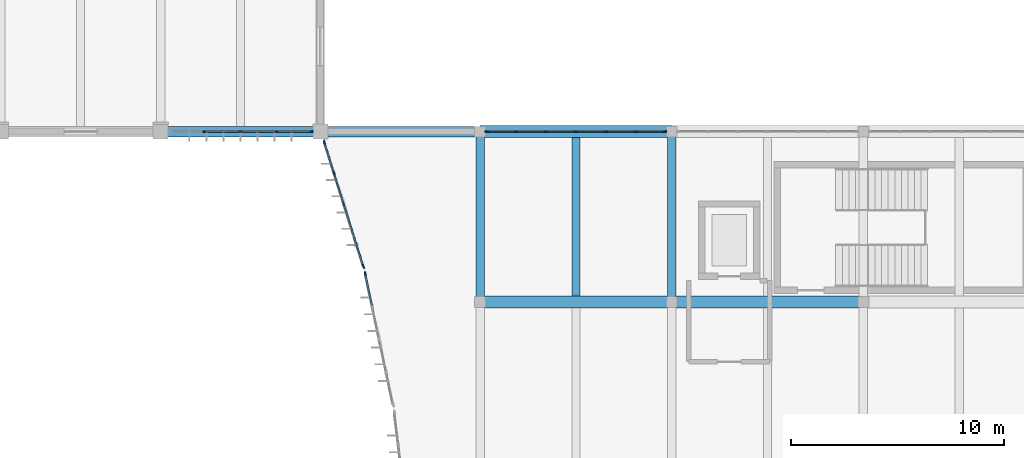
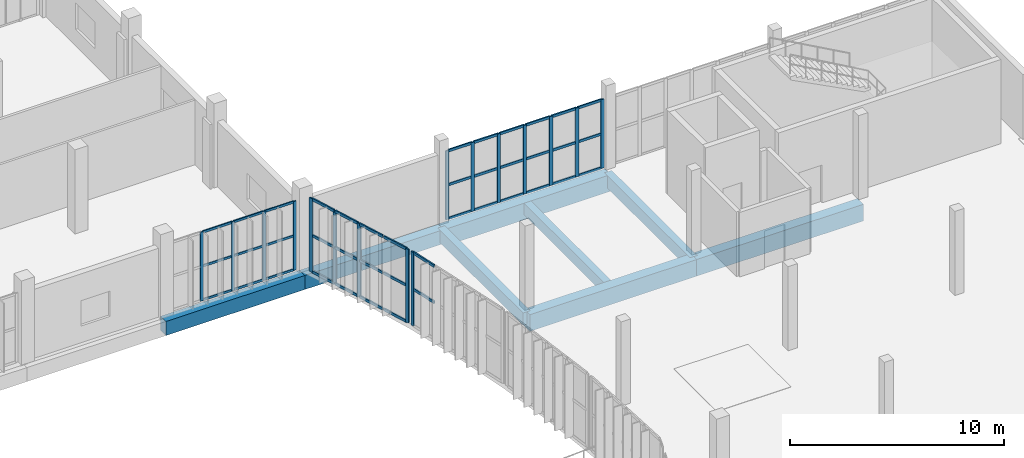
# One storey, part 30 of 72: 57 members, 8 beams, 4 elements without a shape of their own.
"""IFC4 building model written with IfcOpenShell, lengths in metres."""

from ifc_helpers import new_model, si_unit, direction, frame, origin, origin_2d, place, context, subcontext, project, spatial, rectangle, extrude, material, material_profile, profile_set, type_object, element, aggregate, save


model = new_model("IFC4")

# Units and contexts
model_context = context("Model", 3, precision=1e-05, world=origin(), true_north=direction((0.0, 1.0)))
body_context = subcontext(model_context, "Body", "Model", "MODEL_VIEW")
ifc_project = project(units=[si_unit("LENGTHUNIT", "METRE"), si_unit("AREAUNIT", "SQUARE_METRE"), si_unit("VOLUMEUNIT", "CUBIC_METRE"), si_unit("PLANEANGLEUNIT", "RADIAN"), si_unit("MASSUNIT", "GRAM", prefix="KILO")], contexts=[model_context])

# Site, building, storey
site_placement = place(None, origin())
site = spatial("IfcSite", under=ifc_project, at=site_placement, CompositionType="ELEMENT")
building_placement = place(site_placement, origin())
building = spatial("IfcBuilding", under=site, at=building_placement, Name="Vourika Railside Aquatics Centre", CompositionType="ELEMENT")
storey_placement = place(building_placement, origin())
storey = spatial("IfcBuildingStorey", under=building, at=storey_placement, Name="L00", CompositionType="ELEMENT", Elevation=0.0)

# Beams
ifc_material_1 = material(Name="Concrete C35/45", Category="concrete")
ifc_material_profile_1 = material_profile(ifc_material_1, rectangle(XDim=0.39990234375, YDim=0.699951171875, at=origin_2d()), Name="RC 400x700")
ifc_profile_set_1 = profile_set([ifc_material_profile_1], Name="Concrete C35/45")
beam_type_1 = type_object("IfcBeamType", Name="BM-GIRD-400x700", PredefinedType="BEAM", material=ifc_profile_set_1)
for number, where, z_axis, x_axis, name in (
    (1, (141.0, 84.0, -0.669921875), (0.0, 1.0, 0.0), (-1.0, 0.0, 0.0), "Floor Girder GY-L00-326"),
    (2, (150.0, 84.0, -0.669921875), (0.0, 1.0, 0.0), (-1.0, 0.0, 0.0), "Floor Girder GY-L00-337"),
):
    element("IfcBeam", number, at=place(storey_placement, frame(where, z_axis=z_axis, x_axis=x_axis)), inside=storey, type_object=beam_type_1, Name=name, PredefinedType="BEAM", context=body_context, shape_type="SweptSolid", body=[
        extrude(rectangle(XDim=0.39990234375, YDim=0.699951171875, at=origin_2d()), origin(), (0.0, 0.0, 1.0), 8.0),
    ])
ifc_material_2 = material(Name="Concrete C40/50", Category="concrete")
ifc_material_profile_2 = material_profile(ifc_material_2, rectangle(XDim=0.550048828125, YDim=0.949951171875, at=origin_2d()), Name="RC 550x950")
ifc_profile_set_2 = profile_set([ifc_material_profile_2], Name="Concrete C40/50")
beam_type_2 = type_object("IfcBeamType", Name="BM-GIRD-550x950", PredefinedType="BEAM", material=ifc_profile_set_2)
for number, where, z_axis, x_axis, name in (
    (3, (141.0, 84.0, -0.794921875), (1.0, 0.0, 0.0), (0.0, 1.0, 0.0), "Floor Beam GX-L00-121"),
    (4, (150.0, 84.0, -0.794921875), (1.0, 0.0, 0.0), (0.0, 1.0, 0.0), "Floor Beam GX-L00-122"),
    (5, (141.0, 92.0, -0.794921875), (1.0, 0.0, 0.0), (0.0, 1.0, 0.0), "Floor Beam GX-L00-140"),
):
    element("IfcBeam", number, at=place(storey_placement, frame(where, z_axis=z_axis, x_axis=x_axis)), inside=storey, type_object=beam_type_2, Name=name, PredefinedType="BEAM", context=body_context, shape_type="SweptSolid", body=[
        extrude(rectangle(XDim=0.550048828125, YDim=0.949951171875, at=origin_2d()), origin(), (0.0, 0.0, 1.0), 9.0),
    ])
ifc_material_profile_3 = material_profile(ifc_material_1, rectangle(XDim=0.3798828125, YDim=0.64990234375, at=origin_2d()), Name="RC 380x650")
ifc_profile_set_3 = profile_set([ifc_material_profile_3], Name="Concrete C35/45")
beam_type_3 = type_object("IfcBeamType", Name="BM-SEC-380x650", PredefinedType="JOIST", material=ifc_profile_set_3)
beam_placement = place(storey_placement, frame((145.5, 84.27490234375, -0.64501953125), z_axis=(0.0, 1.0, 0.0), x_axis=(-1.0, 0.0, 0.0)))
element("IfcBeam", 6, at=beam_placement, inside=storey, type_object=beam_type_3, Name="Secondary Joist JY-L00-431", PredefinedType="JOIST", context=body_context, shape_type="SweptSolid", body=[
    extrude(rectangle(XDim=0.3798828125, YDim=0.64990234375, at=origin_2d()), origin(), (0.0, 0.0, 1.0), 7.4501953125),
])
ifc_material_profile_4 = material_profile(ifc_material_2, rectangle(XDim=0.5, YDim=0.800048828125, at=origin_2d()), Name="RC 500x800")
ifc_profile_set_4 = profile_set([ifc_material_profile_4], Name="Concrete C40/50")
beam_type_4 = type_object("IfcBeamType", Name="BM-TIE-500x800", PredefinedType="BEAM", material=ifc_profile_set_4)
for number, where, z_axis, x_axis, name in (
    (7, (126.0, 92.0, -0.719970703125), (1.0, 0.0, 0.0), (0.0, 1.0, 0.0), "Floor Beam GX-L00-138"),
    (8, (133.5, 92.0, -0.719970703125), (1.0, 0.0, 0.0), (0.0, 1.0, 0.0), "Floor Beam GX-L00-139"),
):
    element("IfcBeam", number, at=place(storey_placement, frame(where, z_axis=z_axis, x_axis=x_axis)), inside=storey, type_object=beam_type_4, Name=name, PredefinedType="BEAM", context=body_context, shape_type="SweptSolid", body=[
        extrude(rectangle(XDim=0.5, YDim=0.800048828125, at=origin_2d()), origin(), (0.0, 0.0, 1.0), 7.5),
    ])

# Curtain wall, members
ifc_material_3 = material(Name="Anodized thermally broken aluminium", Category="aluminium")
curtain_wall_type_1 = type_object("IfcCurtainWallType", Name="CW-FIT0", PredefinedType="NOTDEFINED", material=ifc_material_3)
curtain_wall_1_placement = place(storey_placement, origin())
curtain_wall_1 = element("IfcCurtainWall", 9, at=curtain_wall_1_placement, inside=storey, type_object=curtain_wall_type_1, Name="Courtyard Fitness Curtain Wall L00-13", PredefinedType="NOTDEFINED")
ifc_material_4 = material(Name="Anodized aluminium mullion", Category="aluminium")
ifc_material_profile_5 = material_profile(ifc_material_4, rectangle(XDim=0.06494140625, YDim=0.1640625, at=origin_2d()), Name="ALU-M 65x164")
ifc_profile_set_5 = profile_set([ifc_material_profile_5], Name="Anodized aluminium mullion")
member_type_1 = type_object("IfcMemberType", Name="CWM-FIT0", PredefinedType="MULLION", material=ifc_profile_set_5)
member_1_placement = place(storey_placement, frame((128.06494140625, 92.0, 0.0), z_axis=(0.0, 0.0, 1.0), x_axis=(0.0, 1.0, 0.0)))
member_1 = element("IfcMember", 10, at=member_1_placement, type_object=member_type_1, Name="CW14 mullion 2", PredefinedType="MULLION", context=body_context, shape_type="SweptSolid", body=[
    extrude(rectangle(XDim=0.06494140625, YDim=0.1640625, at=origin_2d()), origin(), (0.0, 0.0, 1.0), 3.929931640625),
])
member_2_placement = place(storey_placement, frame((129.75, 92.0, 0.0), z_axis=(0.0, 0.0, 1.0), x_axis=(0.0, 1.0, 0.0)))
member_2 = element("IfcMember", 11, at=member_2_placement, type_object=member_type_1, Name="CW14 mullion 3", PredefinedType="MULLION", context=body_context, shape_type="SweptSolid", body=[
    extrude(rectangle(XDim=0.06494140625, YDim=0.1640625, at=origin_2d()), origin(), (0.0, 0.0, 1.0), 3.929931640625),
])
member_3_placement = place(storey_placement, frame((131.43505859375, 92.0, 0.0), z_axis=(0.0, 0.0, 1.0), x_axis=(0.0, 1.0, 0.0)))
member_3 = element("IfcMember", 12, at=member_3_placement, type_object=member_type_1, Name="CW14 mullion 4", PredefinedType="MULLION", context=body_context, shape_type="SweptSolid", body=[
    extrude(rectangle(XDim=0.06494140625, YDim=0.1640625, at=origin_2d()), origin(), (0.0, 0.0, 1.0), 3.929931640625),
])
member_4_placement = place(storey_placement, frame((133.08740234375, 92.0, 0.0), z_axis=(0.0, 0.0, 1.0), x_axis=(0.0, 1.0, 0.0)))
member_4 = element("IfcMember", 13, at=member_4_placement, type_object=member_type_1, Name="CW14 mullion 5", PredefinedType="MULLION", context=body_context, shape_type="SweptSolid", body=[
    extrude(rectangle(XDim=0.06494140625, YDim=0.1640625, at=origin_2d()), origin(), (0.0, 0.0, 1.0), 3.929931640625),
])

# Curtain wall, member
curtain_wall_type_2 = type_object("IfcCurtainWallType", Name="CW-FOYC0", PredefinedType="NOTDEFINED", material=ifc_material_3)
curtain_wall_2_placement = place(storey_placement, origin())
curtain_wall_2 = element("IfcCurtainWall", 14, at=curtain_wall_2_placement, inside=storey, type_object=curtain_wall_type_2, Name="Curved Courtyard Foyer Curtain Wall L00-7", PredefinedType="NOTDEFINED")
ifc_material_profile_6 = material_profile(ifc_material_4, rectangle(XDim=0.073974609375, YDim=0.195068359375, at=origin_2d()), Name="ALU-M 74x195")
ifc_profile_set_6 = profile_set([ifc_material_profile_6], Name="Anodized aluminium mullion")
member_type_2 = type_object("IfcMemberType", Name="CWM-FOYC0", PredefinedType="MULLION", material=ifc_profile_set_6)
member_5_placement = place(storey_placement, frame((135.609619140625, 85.32373046875, 0.0), z_axis=(0.0, 0.0, 1.0), x_axis=(0.978214773139, 0.207595418094, 0.0)))
member_5 = element("IfcMember", 15, at=member_5_placement, type_object=member_type_2, Name="CW07 mullion 1", PredefinedType="MULLION", context=body_context, shape_type="SweptSolid", body=[
    extrude(rectangle(XDim=0.073974609375, YDim=0.195068359375, at=origin_2d()), origin(), (0.0, 0.0, 1.0), 4.199951171875),
])

# Curtain wall, members
curtain_wall_3_placement = place(storey_placement, origin())
curtain_wall_3 = element("IfcCurtainWall", 16, at=curtain_wall_3_placement, inside=storey, type_object=curtain_wall_type_2, Name="Curved Courtyard Foyer Curtain Wall L00-8", PredefinedType="NOTDEFINED")
member_6_placement = place(storey_placement, frame((133.691162109375, 91.484619140625, 0.0), z_axis=(0.0, 0.0, 1.0), x_axis=(0.953947300696, 0.29997424472, 0.0)))
member_6 = element("IfcMember", 17, at=member_6_placement, type_object=member_type_2, Name="CW07 mullion 1", PredefinedType="MULLION", context=body_context, shape_type="SweptSolid", body=[
    extrude(rectangle(XDim=0.073974609375, YDim=0.195068359375, at=origin_2d()), origin(), (0.0, 0.0, 1.0), 4.199951171875),
])
member_7_placement = place(storey_placement, frame((134.142333984375, 90.050048828125, 0.0), z_axis=(0.0, 0.0, 1.0), x_axis=(0.953947300696, 0.29997424472, 0.0)))
member_7 = element("IfcMember", 18, at=member_7_placement, type_object=member_type_2, Name="CW07 mullion 2", PredefinedType="MULLION", context=body_context, shape_type="SweptSolid", body=[
    extrude(rectangle(XDim=0.073974609375, YDim=0.195068359375, at=origin_2d()), origin(), (0.0, 0.0, 1.0), 4.199951171875),
])
member_8_placement = place(storey_placement, frame((134.6044921875, 88.580078125, 0.0), z_axis=(0.0, 0.0, 1.0), x_axis=(0.953947300696, 0.29997424472, 0.0)))
member_8 = element("IfcMember", 19, at=member_8_placement, type_object=member_type_2, Name="CW07 mullion 3", PredefinedType="MULLION", context=body_context, shape_type="SweptSolid", body=[
    extrude(rectangle(XDim=0.073974609375, YDim=0.195068359375, at=origin_2d()), origin(), (0.0, 0.0, 1.0), 4.199951171875),
])
member_9_placement = place(storey_placement, frame((135.517822265625, 85.67529296875, 0.0), z_axis=(0.0, 0.0, 1.0), x_axis=(0.953947300696, 0.29997424472, 0.0)))
member_9 = element("IfcMember", 20, at=member_9_placement, type_object=member_type_2, Name="CW07 mullion 5", PredefinedType="MULLION", context=body_context, shape_type="SweptSolid", body=[
    extrude(rectangle(XDim=0.073974609375, YDim=0.195068359375, at=origin_2d()), origin(), (0.0, 0.0, 1.0), 4.199951171875),
])

curtain_wall_type_3 = type_object("IfcCurtainWallType", Name="CW-FOYS", PredefinedType="NOTDEFINED", material=ifc_material_3)
curtain_wall_4_placement = place(storey_placement, origin())
curtain_wall_4 = element("IfcCurtainWall", 21, at=curtain_wall_4_placement, inside=storey, type_object=curtain_wall_type_3, Name="Foyer North Glazed Facade L00-1", PredefinedType="NOTDEFINED")
ifc_material_profile_7 = material_profile(ifc_material_4, rectangle(XDim=0.072021484375, YDim=0.181884765625, at=origin_2d()), Name="ALU-M 72x182")
ifc_profile_set_7 = profile_set([ifc_material_profile_7], Name="Anodized aluminium mullion")
member_type_3 = type_object("IfcMemberType", Name="CWM-FOYS", PredefinedType="MULLION", material=ifc_profile_set_7)
member_10_placement = place(storey_placement, frame((149.68408203125, 92.0, 0.0), z_axis=(0.0, 0.0, 1.0), x_axis=(0.0, -1.0, 0.0)))
member_10 = element("IfcMember", 22, at=member_10_placement, type_object=member_type_3, Name="CW11 mullion 1", PredefinedType="MULLION", context=body_context, shape_type="SweptSolid", body=[
    extrude(rectangle(XDim=0.072021484375, YDim=0.181884765625, at=origin_2d()), origin(), (0.0, 0.0, 1.0), 3.929931640625),
])
member_11_placement = place(storey_placement, frame((148.313232421875, 92.0, 0.0), z_axis=(0.0, 0.0, 1.0), x_axis=(0.0, -1.0, 0.0)))
member_11 = element("IfcMember", 23, at=member_11_placement, type_object=member_type_3, Name="CW11 mullion 2", PredefinedType="MULLION", context=body_context, shape_type="SweptSolid", body=[
    extrude(rectangle(XDim=0.072021484375, YDim=0.181884765625, at=origin_2d()), origin(), (0.0, 0.0, 1.0), 3.929931640625),
])
member_12_placement = place(storey_placement, frame((146.90673828125, 92.0, 0.0), z_axis=(0.0, 0.0, 1.0), x_axis=(0.0, -1.0, 0.0)))
member_12 = element("IfcMember", 24, at=member_12_placement, type_object=member_type_3, Name="CW11 mullion 3", PredefinedType="MULLION", context=body_context, shape_type="SweptSolid", body=[
    extrude(rectangle(XDim=0.072021484375, YDim=0.181884765625, at=origin_2d()), origin(), (0.0, 0.0, 1.0), 3.929931640625),
])
member_13_placement = place(storey_placement, frame((145.5, 92.0, 0.0), z_axis=(0.0, 0.0, 1.0), x_axis=(0.0, -1.0, 0.0)))
member_13 = element("IfcMember", 25, at=member_13_placement, type_object=member_type_3, Name="CW11 mullion 4", PredefinedType="MULLION", context=body_context, shape_type="SweptSolid", body=[
    extrude(rectangle(XDim=0.072021484375, YDim=0.181884765625, at=origin_2d()), origin(), (0.0, 0.0, 1.0), 3.929931640625),
])
member_14_placement = place(storey_placement, frame((144.09326171875, 92.0, 0.0), z_axis=(0.0, 0.0, 1.0), x_axis=(0.0, -1.0, 0.0)))
member_14 = element("IfcMember", 26, at=member_14_placement, type_object=member_type_3, Name="CW11 mullion 5", PredefinedType="MULLION", context=body_context, shape_type="SweptSolid", body=[
    extrude(rectangle(XDim=0.072021484375, YDim=0.181884765625, at=origin_2d()), origin(), (0.0, 0.0, 1.0), 3.929931640625),
])
member_15_placement = place(storey_placement, frame((142.686767578125, 92.0, 0.0), z_axis=(0.0, 0.0, 1.0), x_axis=(0.0, -1.0, 0.0)))
member_15 = element("IfcMember", 27, at=member_15_placement, type_object=member_type_3, Name="CW11 mullion 6", PredefinedType="MULLION", context=body_context, shape_type="SweptSolid", body=[
    extrude(rectangle(XDim=0.072021484375, YDim=0.181884765625, at=origin_2d()), origin(), (0.0, 0.0, 1.0), 3.929931640625),
])
member_16_placement = place(storey_placement, frame((141.31591796875, 92.0, 0.0), z_axis=(0.0, 0.0, 1.0), x_axis=(0.0, -1.0, 0.0)))
member_16 = element("IfcMember", 28, at=member_16_placement, type_object=member_type_3, Name="CW11 mullion 7", PredefinedType="MULLION", context=body_context, shape_type="SweptSolid", body=[
    extrude(rectangle(XDim=0.072021484375, YDim=0.181884765625, at=origin_2d()), origin(), (0.0, 0.0, 1.0), 3.929931640625),
])

# Member
ifc_material_5 = material(Name="Anodized aluminium transom", Category="aluminium")
ifc_material_profile_8 = material_profile(ifc_material_5, rectangle(XDim=0.06494140625, YDim=0.1279296875, at=origin_2d()), Name="ALU-T 65x128")
ifc_profile_set_8 = profile_set([ifc_material_profile_8], Name="Anodized aluminium transom")
member_type_4 = type_object("IfcMemberType", Name="CWT-FIT0", PredefinedType="USERDEFINED", material=ifc_profile_set_8)
member_17_placement = place(storey_placement, frame((128.097412109375, 92.0, 0.032470703125), z_axis=(1.0, 0.0, 0.0), x_axis=(0.0, 1.0, 0.0)))
member_17 = element("IfcMember", 29, at=member_17_placement, type_object=member_type_4, Name="CW14 transom 2.1", ObjectType="TRANSOM", PredefinedType="USERDEFINED", context=body_context, shape_type="SweptSolid", body=[
    extrude(rectangle(XDim=0.06494140625, YDim=0.1279296875, at=origin_2d()), origin(), (0.0, 0.0, 1.0), 1.6201171875),
])

member_18_placement = place(storey_placement, frame((128.097412109375, 92.0, 1.965087890625), z_axis=(1.0, 0.0, 0.0), x_axis=(0.0, 1.0, 0.0)))
member_18 = element("IfcMember", 30, at=member_18_placement, type_object=member_type_4, Name="CW14 transom 2.2", ObjectType="TRANSOM", PredefinedType="USERDEFINED", context=body_context, shape_type="SweptSolid", body=[
    extrude(rectangle(XDim=0.06494140625, YDim=0.1279296875, at=origin_2d()), origin(), (0.0, 0.0, 1.0), 1.6201171875),
])

member_19_placement = place(storey_placement, frame((128.097412109375, 92.0, 3.8974609375), z_axis=(1.0, 0.0, 0.0), x_axis=(0.0, 1.0, 0.0)))
member_19 = element("IfcMember", 31, at=member_19_placement, type_object=member_type_4, Name="CW14 transom 2.3", ObjectType="TRANSOM", PredefinedType="USERDEFINED", context=body_context, shape_type="SweptSolid", body=[
    extrude(rectangle(XDim=0.06494140625, YDim=0.1279296875, at=origin_2d()), origin(), (0.0, 0.0, 1.0), 1.6201171875),
])

member_20_placement = place(storey_placement, frame((129.782470703125, 92.0, 0.032470703125), z_axis=(1.0, 0.0, 0.0), x_axis=(0.0, 1.0, 0.0)))
member_20 = element("IfcMember", 32, at=member_20_placement, type_object=member_type_4, Name="CW14 transom 3.1", ObjectType="TRANSOM", PredefinedType="USERDEFINED", context=body_context, shape_type="SweptSolid", body=[
    extrude(rectangle(XDim=0.06494140625, YDim=0.1279296875, at=origin_2d()), origin(), (0.0, 0.0, 1.0), 1.6201171875),
])

member_21_placement = place(storey_placement, frame((129.782470703125, 92.0, 1.965087890625), z_axis=(1.0, 0.0, 0.0), x_axis=(0.0, 1.0, 0.0)))
member_21 = element("IfcMember", 33, at=member_21_placement, type_object=member_type_4, Name="CW14 transom 3.2", ObjectType="TRANSOM", PredefinedType="USERDEFINED", context=body_context, shape_type="SweptSolid", body=[
    extrude(rectangle(XDim=0.06494140625, YDim=0.1279296875, at=origin_2d()), origin(), (0.0, 0.0, 1.0), 1.6201171875),
])

member_22_placement = place(storey_placement, frame((129.782470703125, 92.0, 3.8974609375), z_axis=(1.0, 0.0, 0.0), x_axis=(0.0, 1.0, 0.0)))
member_22 = element("IfcMember", 34, at=member_22_placement, type_object=member_type_4, Name="CW14 transom 3.3", ObjectType="TRANSOM", PredefinedType="USERDEFINED", context=body_context, shape_type="SweptSolid", body=[
    extrude(rectangle(XDim=0.06494140625, YDim=0.1279296875, at=origin_2d()), origin(), (0.0, 0.0, 1.0), 1.6201171875),
])

member_23_placement = place(storey_placement, frame((131.467529296875, 92.0, 0.032470703125), z_axis=(1.0, 0.0, 0.0), x_axis=(0.0, 1.0, 0.0)))
member_23 = element("IfcMember", 35, at=member_23_placement, type_object=member_type_4, Name="CW14 transom 4.1", ObjectType="TRANSOM", PredefinedType="USERDEFINED", context=body_context, shape_type="SweptSolid", body=[
    extrude(rectangle(XDim=0.06494140625, YDim=0.1279296875, at=origin_2d()), origin(), (0.0, 0.0, 1.0), 1.58740234375),
])

member_24_placement = place(storey_placement, frame((131.467529296875, 92.0, 1.965087890625), z_axis=(1.0, 0.0, 0.0), x_axis=(0.0, 1.0, 0.0)))
member_24 = element("IfcMember", 36, at=member_24_placement, type_object=member_type_4, Name="CW14 transom 4.2", ObjectType="TRANSOM", PredefinedType="USERDEFINED", context=body_context, shape_type="SweptSolid", body=[
    extrude(rectangle(XDim=0.06494140625, YDim=0.1279296875, at=origin_2d()), origin(), (0.0, 0.0, 1.0), 1.58740234375),
])

member_25_placement = place(storey_placement, frame((131.467529296875, 92.0, 3.8974609375), z_axis=(1.0, 0.0, 0.0), x_axis=(0.0, 1.0, 0.0)))
member_25 = element("IfcMember", 37, at=member_25_placement, type_object=member_type_4, Name="CW14 transom 4.3", ObjectType="TRANSOM", PredefinedType="USERDEFINED", context=body_context, shape_type="SweptSolid", body=[
    extrude(rectangle(XDim=0.06494140625, YDim=0.1279296875, at=origin_2d()), origin(), (0.0, 0.0, 1.0), 1.58740234375),
])

aggregate(curtain_wall_1, [member_1, member_2, member_3, member_4, member_17, member_18, member_19, member_20, member_21, member_22, member_23, member_24, member_25])

ifc_material_profile_9 = material_profile(ifc_material_5, rectangle(XDim=0.073974609375, YDim=0.155029296875, at=origin_2d()), Name="ALU-T 74x155")
ifc_profile_set_9 = profile_set([ifc_material_profile_9], Name="Anodized aluminium transom")
member_type_5 = type_object("IfcMemberType", Name="CWT-FOYC0", PredefinedType="USERDEFINED", material=ifc_profile_set_9)
member_26_placement = place(storey_placement, frame((135.617431640625, 85.28759765625, 2.10009765625), z_axis=(0.207566457587, -0.97822091865, 0.0), x_axis=(0.97822091865, 0.207566457587, 0.0)))
member_26 = element("IfcMember", 38, at=member_26_placement, type_object=member_type_5, Name="CW07 transom 1.2", ObjectType="TRANSOM", PredefinedType="USERDEFINED", context=body_context, shape_type="SweptSolid", body=[
    extrude(rectangle(XDim=0.073974609375, YDim=0.155029296875, at=origin_2d()), origin(), (0.0, 0.0, 1.0), 1.478515625),
])

member_27_placement = place(storey_placement, frame((135.617431640625, 85.28759765625, 4.1630859375), z_axis=(0.207566457587, -0.97822091865, 0.0), x_axis=(0.97822091865, 0.207566457587, 0.0)))
member_27 = element("IfcMember", 39, at=member_27_placement, type_object=member_type_5, Name="CW07 transom 1.3", ObjectType="TRANSOM", PredefinedType="USERDEFINED", context=body_context, shape_type="SweptSolid", body=[
    extrude(rectangle(XDim=0.073974609375, YDim=0.155029296875, at=origin_2d()), origin(), (0.0, 0.0, 1.0), 1.478515625),
])

aggregate(curtain_wall_2, [member_5, member_26, member_27])

member_28_placement = place(storey_placement, frame((133.7021484375, 91.449462890625, 0.037109375), z_axis=(0.29994645008, -0.953956040436, 0.0), x_axis=(0.953956040436, 0.29994645008, 0.0)))
member_28 = element("IfcMember", 40, at=member_28_placement, type_object=member_type_5, Name="CW07 transom 1.1", ObjectType="TRANSOM", PredefinedType="USERDEFINED", context=body_context, shape_type="SweptSolid", body=[
    extrude(rectangle(XDim=0.073974609375, YDim=0.155029296875, at=origin_2d()), origin(), (0.0, 0.0, 1.0), 1.43017578125),
])

member_29_placement = place(storey_placement, frame((133.7021484375, 91.449462890625, 2.10009765625), z_axis=(0.29994645008, -0.953956040436, 0.0), x_axis=(0.953956040436, 0.29994645008, 0.0)))
member_29 = element("IfcMember", 41, at=member_29_placement, type_object=member_type_5, Name="CW07 transom 1.2", ObjectType="TRANSOM", PredefinedType="USERDEFINED", context=body_context, shape_type="SweptSolid", body=[
    extrude(rectangle(XDim=0.073974609375, YDim=0.155029296875, at=origin_2d()), origin(), (0.0, 0.0, 1.0), 1.43017578125),
])

member_30_placement = place(storey_placement, frame((133.7021484375, 91.449462890625, 4.1630859375), z_axis=(0.29994645008, -0.953956040436, 0.0), x_axis=(0.953956040436, 0.29994645008, 0.0)))
member_30 = element("IfcMember", 42, at=member_30_placement, type_object=member_type_5, Name="CW07 transom 1.3", ObjectType="TRANSOM", PredefinedType="USERDEFINED", context=body_context, shape_type="SweptSolid", body=[
    extrude(rectangle(XDim=0.073974609375, YDim=0.155029296875, at=origin_2d()), origin(), (0.0, 0.0, 1.0), 1.43017578125),
])

member_31_placement = place(storey_placement, frame((134.1533203125, 90.0146484375, 0.037109375), z_axis=(0.300055941568, -0.953921606805, 0.0), x_axis=(0.953921606805, 0.300055941568, 0.0)))
member_31 = element("IfcMember", 43, at=member_31_placement, type_object=member_type_5, Name="CW07 transom 2.1", ObjectType="TRANSOM", PredefinedType="USERDEFINED", context=body_context, shape_type="SweptSolid", body=[
    extrude(rectangle(XDim=0.073974609375, YDim=0.155029296875, at=origin_2d()), origin(), (0.0, 0.0, 1.0), 1.467041015625),
])

member_32_placement = place(storey_placement, frame((134.1533203125, 90.0146484375, 2.10009765625), z_axis=(0.300055941568, -0.953921606805, 0.0), x_axis=(0.953921606805, 0.300055941568, 0.0)))
member_32 = element("IfcMember", 44, at=member_32_placement, type_object=member_type_5, Name="CW07 transom 2.2", ObjectType="TRANSOM", PredefinedType="USERDEFINED", context=body_context, shape_type="SweptSolid", body=[
    extrude(rectangle(XDim=0.073974609375, YDim=0.155029296875, at=origin_2d()), origin(), (0.0, 0.0, 1.0), 1.467041015625),
])

member_33_placement = place(storey_placement, frame((134.1533203125, 90.0146484375, 4.1630859375), z_axis=(0.300055941568, -0.953921606805, 0.0), x_axis=(0.953921606805, 0.300055941568, 0.0)))
member_33 = element("IfcMember", 45, at=member_33_placement, type_object=member_type_5, Name="CW07 transom 2.3", ObjectType="TRANSOM", PredefinedType="USERDEFINED", context=body_context, shape_type="SweptSolid", body=[
    extrude(rectangle(XDim=0.073974609375, YDim=0.155029296875, at=origin_2d()), origin(), (0.0, 0.0, 1.0), 1.467041015625),
])

member_34_placement = place(storey_placement, frame((134.615478515625, 88.544677734375, 0.037109375), z_axis=(0.300055941568, -0.953921606805, 0.0), x_axis=(0.953921606805, 0.300055941568, 0.0)))
member_34 = element("IfcMember", 46, at=member_34_placement, type_object=member_type_5, Name="CW07 transom 3.1", ObjectType="TRANSOM", PredefinedType="USERDEFINED", context=body_context, shape_type="SweptSolid", body=[
    extrude(rectangle(XDim=0.073974609375, YDim=0.155029296875, at=origin_2d()), origin(), (0.0, 0.0, 1.0), 1.467041015625),
])

member_35_placement = place(storey_placement, frame((134.615478515625, 88.544677734375, 2.10009765625), z_axis=(0.300055941568, -0.953921606805, 0.0), x_axis=(0.953921606805, 0.300055941568, 0.0)))
member_35 = element("IfcMember", 47, at=member_35_placement, type_object=member_type_5, Name="CW07 transom 3.2", ObjectType="TRANSOM", PredefinedType="USERDEFINED", context=body_context, shape_type="SweptSolid", body=[
    extrude(rectangle(XDim=0.073974609375, YDim=0.155029296875, at=origin_2d()), origin(), (0.0, 0.0, 1.0), 1.467041015625),
])

member_36_placement = place(storey_placement, frame((134.615478515625, 88.544677734375, 4.1630859375), z_axis=(0.300055941568, -0.953921606805, 0.0), x_axis=(0.953921606805, 0.300055941568, 0.0)))
member_36 = element("IfcMember", 48, at=member_36_placement, type_object=member_type_5, Name="CW07 transom 3.3", ObjectType="TRANSOM", PredefinedType="USERDEFINED", context=body_context, shape_type="SweptSolid", body=[
    extrude(rectangle(XDim=0.073974609375, YDim=0.155029296875, at=origin_2d()), origin(), (0.0, 0.0, 1.0), 1.467041015625),
])

member_37_placement = place(storey_placement, frame((135.077880859375, 87.07470703125, 0.037109375), z_axis=(0.299995305335, -0.953940677808, 0.0), x_axis=(0.953940677808, 0.299995305335, 0.0)))
member_37 = element("IfcMember", 49, at=member_37_placement, type_object=member_type_5, Name="CW07 transom 4.1", ObjectType="TRANSOM", PredefinedType="USERDEFINED", context=body_context, shape_type="SweptSolid", body=[
    extrude(rectangle(XDim=0.073974609375, YDim=0.155029296875, at=origin_2d()), origin(), (0.0, 0.0, 1.0), 1.429931640625),
])

member_38_placement = place(storey_placement, frame((135.077880859375, 87.07470703125, 2.10009765625), z_axis=(0.299995305335, -0.953940677808, 0.0), x_axis=(0.953940677808, 0.299995305335, 0.0)))
member_38 = element("IfcMember", 50, at=member_38_placement, type_object=member_type_5, Name="CW07 transom 4.2", ObjectType="TRANSOM", PredefinedType="USERDEFINED", context=body_context, shape_type="SweptSolid", body=[
    extrude(rectangle(XDim=0.073974609375, YDim=0.155029296875, at=origin_2d()), origin(), (0.0, 0.0, 1.0), 1.429931640625),
])

member_39_placement = place(storey_placement, frame((135.077880859375, 87.07470703125, 4.1630859375), z_axis=(0.299995305335, -0.953940677808, 0.0), x_axis=(0.953940677808, 0.299995305335, 0.0)))
member_39 = element("IfcMember", 51, at=member_39_placement, type_object=member_type_5, Name="CW07 transom 4.3", ObjectType="TRANSOM", PredefinedType="USERDEFINED", context=body_context, shape_type="SweptSolid", body=[
    extrude(rectangle(XDim=0.073974609375, YDim=0.155029296875, at=origin_2d()), origin(), (0.0, 0.0, 1.0), 1.429931640625),
])

aggregate(curtain_wall_3, [member_6, member_7, member_8, member_9, member_28, member_29, member_30, member_31, member_32, member_33, member_34, member_35, member_36, member_37, member_38, member_39])

ifc_material_profile_10 = material_profile(ifc_material_5, rectangle(XDim=0.072021484375, YDim=0.14404296875, at=origin_2d()), Name="ALU-T 72x144")
ifc_profile_set_10 = profile_set([ifc_material_profile_10], Name="Anodized aluminium transom")
member_type_6 = type_object("IfcMemberType", Name="CWT-FOYS", PredefinedType="USERDEFINED", material=ifc_profile_set_10)
member_40_placement = place(storey_placement, frame((149.64794921875, 92.0, 0.035888671875), z_axis=(-1.0, 0.0, 0.0), x_axis=(0.0, -1.0, 0.0)))
member_40 = element("IfcMember", 52, at=member_40_placement, type_object=member_type_6, Name="CW11 transom 1.1", ObjectType="TRANSOM", PredefinedType="USERDEFINED", context=body_context, shape_type="SweptSolid", body=[
    extrude(rectangle(XDim=0.072021484375, YDim=0.14404296875, at=origin_2d()), origin(), (0.0, 0.0, 1.0), 1.298583984375),
])

member_41_placement = place(storey_placement, frame((149.64794921875, 92.0, 1.965087890625), z_axis=(-1.0, 0.0, 0.0), x_axis=(0.0, -1.0, 0.0)))
member_41 = element("IfcMember", 53, at=member_41_placement, type_object=member_type_6, Name="CW11 transom 1.2", ObjectType="TRANSOM", PredefinedType="USERDEFINED", context=body_context, shape_type="SweptSolid", body=[
    extrude(rectangle(XDim=0.072021484375, YDim=0.14404296875, at=origin_2d()), origin(), (0.0, 0.0, 1.0), 1.298583984375),
])

member_42_placement = place(storey_placement, frame((149.64794921875, 92.0, 3.89404296875), z_axis=(-1.0, 0.0, 0.0), x_axis=(0.0, -1.0, 0.0)))
member_42 = element("IfcMember", 54, at=member_42_placement, type_object=member_type_6, Name="CW11 transom 1.3", ObjectType="TRANSOM", PredefinedType="USERDEFINED", context=body_context, shape_type="SweptSolid", body=[
    extrude(rectangle(XDim=0.072021484375, YDim=0.14404296875, at=origin_2d()), origin(), (0.0, 0.0, 1.0), 1.298583984375),
])

member_43_placement = place(storey_placement, frame((148.27734375, 92.0, 0.035888671875), z_axis=(-1.0, 0.0, 0.0), x_axis=(0.0, -1.0, 0.0)))
member_43 = element("IfcMember", 55, at=member_43_placement, type_object=member_type_6, Name="CW11 transom 2.1", ObjectType="TRANSOM", PredefinedType="USERDEFINED", context=body_context, shape_type="SweptSolid", body=[
    extrude(rectangle(XDim=0.072021484375, YDim=0.14404296875, at=origin_2d()), origin(), (0.0, 0.0, 1.0), 1.334716796875),
])

member_44_placement = place(storey_placement, frame((148.27734375, 92.0, 1.965087890625), z_axis=(-1.0, 0.0, 0.0), x_axis=(0.0, -1.0, 0.0)))
member_44 = element("IfcMember", 56, at=member_44_placement, type_object=member_type_6, Name="CW11 transom 2.2", ObjectType="TRANSOM", PredefinedType="USERDEFINED", context=body_context, shape_type="SweptSolid", body=[
    extrude(rectangle(XDim=0.072021484375, YDim=0.14404296875, at=origin_2d()), origin(), (0.0, 0.0, 1.0), 1.334716796875),
])

member_45_placement = place(storey_placement, frame((148.27734375, 92.0, 3.89404296875), z_axis=(-1.0, 0.0, 0.0), x_axis=(0.0, -1.0, 0.0)))
member_45 = element("IfcMember", 57, at=member_45_placement, type_object=member_type_6, Name="CW11 transom 2.3", ObjectType="TRANSOM", PredefinedType="USERDEFINED", context=body_context, shape_type="SweptSolid", body=[
    extrude(rectangle(XDim=0.072021484375, YDim=0.14404296875, at=origin_2d()), origin(), (0.0, 0.0, 1.0), 1.334716796875),
])

member_46_placement = place(storey_placement, frame((146.87060546875, 92.0, 0.035888671875), z_axis=(-1.0, 0.0, 0.0), x_axis=(0.0, -1.0, 0.0)))
member_46 = element("IfcMember", 58, at=member_46_placement, type_object=member_type_6, Name="CW11 transom 3.1", ObjectType="TRANSOM", PredefinedType="USERDEFINED", context=body_context, shape_type="SweptSolid", body=[
    extrude(rectangle(XDim=0.072021484375, YDim=0.14404296875, at=origin_2d()), origin(), (0.0, 0.0, 1.0), 1.334716796875),
])

member_47_placement = place(storey_placement, frame((146.87060546875, 92.0, 1.965087890625), z_axis=(-1.0, 0.0, 0.0), x_axis=(0.0, -1.0, 0.0)))
member_47 = element("IfcMember", 59, at=member_47_placement, type_object=member_type_6, Name="CW11 transom 3.2", ObjectType="TRANSOM", PredefinedType="USERDEFINED", context=body_context, shape_type="SweptSolid", body=[
    extrude(rectangle(XDim=0.072021484375, YDim=0.14404296875, at=origin_2d()), origin(), (0.0, 0.0, 1.0), 1.334716796875),
])

member_48_placement = place(storey_placement, frame((146.87060546875, 92.0, 3.89404296875), z_axis=(-1.0, 0.0, 0.0), x_axis=(0.0, -1.0, 0.0)))
member_48 = element("IfcMember", 60, at=member_48_placement, type_object=member_type_6, Name="CW11 transom 3.3", ObjectType="TRANSOM", PredefinedType="USERDEFINED", context=body_context, shape_type="SweptSolid", body=[
    extrude(rectangle(XDim=0.072021484375, YDim=0.14404296875, at=origin_2d()), origin(), (0.0, 0.0, 1.0), 1.334716796875),
])

member_49_placement = place(storey_placement, frame((145.464111328125, 92.0, 0.035888671875), z_axis=(-1.0, 0.0, 0.0), x_axis=(0.0, -1.0, 0.0)))
member_49 = element("IfcMember", 61, at=member_49_placement, type_object=member_type_6, Name="CW11 transom 4.1", ObjectType="TRANSOM", PredefinedType="USERDEFINED", context=body_context, shape_type="SweptSolid", body=[
    extrude(rectangle(XDim=0.072021484375, YDim=0.14404296875, at=origin_2d()), origin(), (0.0, 0.0, 1.0), 1.334716796875),
])

member_50_placement = place(storey_placement, frame((145.464111328125, 92.0, 1.965087890625), z_axis=(-1.0, 0.0, 0.0), x_axis=(0.0, -1.0, 0.0)))
member_50 = element("IfcMember", 62, at=member_50_placement, type_object=member_type_6, Name="CW11 transom 4.2", ObjectType="TRANSOM", PredefinedType="USERDEFINED", context=body_context, shape_type="SweptSolid", body=[
    extrude(rectangle(XDim=0.072021484375, YDim=0.14404296875, at=origin_2d()), origin(), (0.0, 0.0, 1.0), 1.334716796875),
])

member_51_placement = place(storey_placement, frame((145.464111328125, 92.0, 3.89404296875), z_axis=(-1.0, 0.0, 0.0), x_axis=(0.0, -1.0, 0.0)))
member_51 = element("IfcMember", 63, at=member_51_placement, type_object=member_type_6, Name="CW11 transom 4.3", ObjectType="TRANSOM", PredefinedType="USERDEFINED", context=body_context, shape_type="SweptSolid", body=[
    extrude(rectangle(XDim=0.072021484375, YDim=0.14404296875, at=origin_2d()), origin(), (0.0, 0.0, 1.0), 1.334716796875),
])

member_52_placement = place(storey_placement, frame((144.057373046875, 92.0, 0.035888671875), z_axis=(-1.0, 0.0, 0.0), x_axis=(0.0, -1.0, 0.0)))
member_52 = element("IfcMember", 64, at=member_52_placement, type_object=member_type_6, Name="CW11 transom 5.1", ObjectType="TRANSOM", PredefinedType="USERDEFINED", context=body_context, shape_type="SweptSolid", body=[
    extrude(rectangle(XDim=0.072021484375, YDim=0.14404296875, at=origin_2d()), origin(), (0.0, 0.0, 1.0), 1.334716796875),
])

member_53_placement = place(storey_placement, frame((144.057373046875, 92.0, 1.965087890625), z_axis=(-1.0, 0.0, 0.0), x_axis=(0.0, -1.0, 0.0)))
member_53 = element("IfcMember", 65, at=member_53_placement, type_object=member_type_6, Name="CW11 transom 5.2", ObjectType="TRANSOM", PredefinedType="USERDEFINED", context=body_context, shape_type="SweptSolid", body=[
    extrude(rectangle(XDim=0.072021484375, YDim=0.14404296875, at=origin_2d()), origin(), (0.0, 0.0, 1.0), 1.334716796875),
])

member_54_placement = place(storey_placement, frame((144.057373046875, 92.0, 3.89404296875), z_axis=(-1.0, 0.0, 0.0), x_axis=(0.0, -1.0, 0.0)))
member_54 = element("IfcMember", 66, at=member_54_placement, type_object=member_type_6, Name="CW11 transom 5.3", ObjectType="TRANSOM", PredefinedType="USERDEFINED", context=body_context, shape_type="SweptSolid", body=[
    extrude(rectangle(XDim=0.072021484375, YDim=0.14404296875, at=origin_2d()), origin(), (0.0, 0.0, 1.0), 1.334716796875),
])

member_55_placement = place(storey_placement, frame((142.650634765625, 92.0, 0.035888671875), z_axis=(-1.0, 0.0, 0.0), x_axis=(0.0, -1.0, 0.0)))
member_55 = element("IfcMember", 67, at=member_55_placement, type_object=member_type_6, Name="CW11 transom 6.1", ObjectType="TRANSOM", PredefinedType="USERDEFINED", context=body_context, shape_type="SweptSolid", body=[
    extrude(rectangle(XDim=0.072021484375, YDim=0.14404296875, at=origin_2d()), origin(), (0.0, 0.0, 1.0), 1.298583984375),
])

member_56_placement = place(storey_placement, frame((142.650634765625, 92.0, 1.965087890625), z_axis=(-1.0, 0.0, 0.0), x_axis=(0.0, -1.0, 0.0)))
member_56 = element("IfcMember", 68, at=member_56_placement, type_object=member_type_6, Name="CW11 transom 6.2", ObjectType="TRANSOM", PredefinedType="USERDEFINED", context=body_context, shape_type="SweptSolid", body=[
    extrude(rectangle(XDim=0.072021484375, YDim=0.14404296875, at=origin_2d()), origin(), (0.0, 0.0, 1.0), 1.298583984375),
])

member_57_placement = place(storey_placement, frame((142.650634765625, 92.0, 3.89404296875), z_axis=(-1.0, 0.0, 0.0), x_axis=(0.0, -1.0, 0.0)))
member_57 = element("IfcMember", 69, at=member_57_placement, type_object=member_type_6, Name="CW11 transom 6.3", ObjectType="TRANSOM", PredefinedType="USERDEFINED", context=body_context, shape_type="SweptSolid", body=[
    extrude(rectangle(XDim=0.072021484375, YDim=0.14404296875, at=origin_2d()), origin(), (0.0, 0.0, 1.0), 1.298583984375),
])

aggregate(curtain_wall_4, [member_10, member_11, member_12, member_13, member_14, member_15, member_16, member_40, member_41, member_42, member_43, member_44, member_45, member_46, member_47, member_48, member_49, member_50, member_51, member_52, member_53, member_54, member_55, member_56, member_57])

save(model, "model.ifc")
